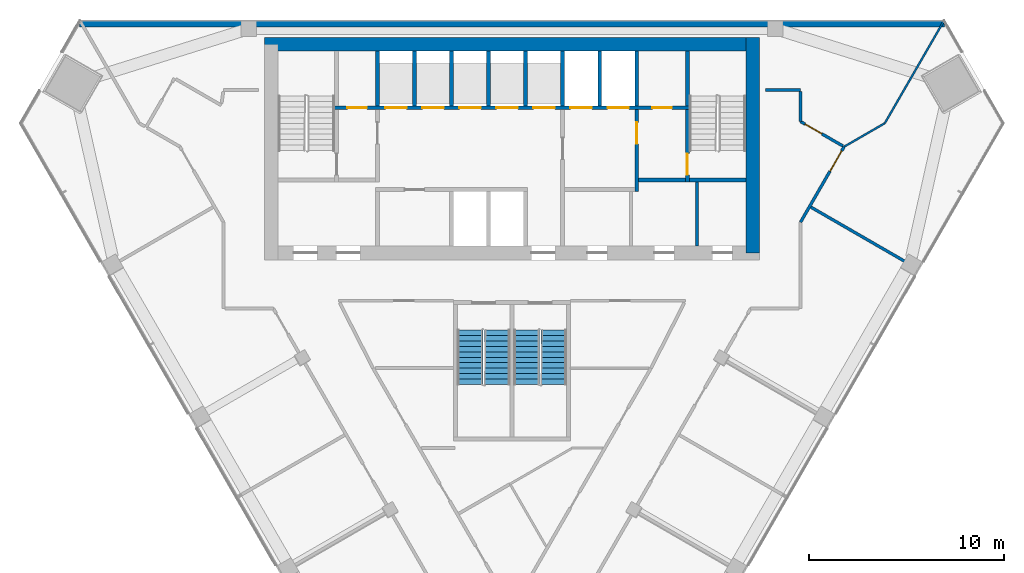
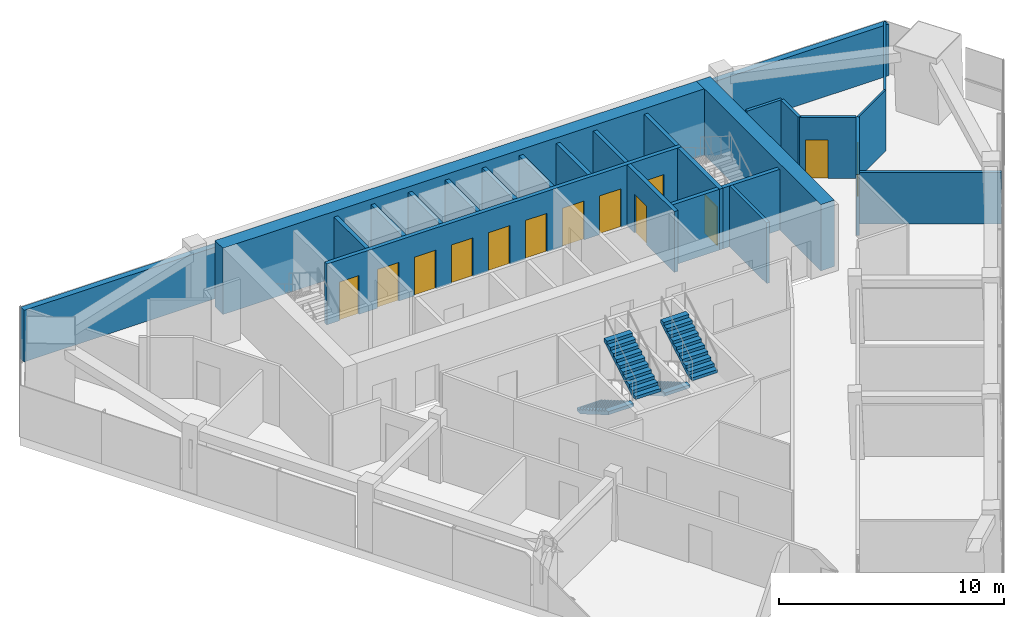
# One storey, part 10 of 13: 25 walls, 13 doors, 4 stair flights, 13 openings, 2 elements without a shape of their own.
"""IFC4 building model written with IfcOpenShell, lengths in metres."""

from ifc_helpers import new_model, si_unit, direction, frame, frame_2d, origin, place, context, subcontext, project, spatial, polyline, rectangle, outline, extrude, material, layer, layer_set, type_object, element, fill, aggregate, save


model = new_model("IFC4")

# Units and contexts
model_context = context("Model", 3, precision=1e-05, world=origin(), true_north=direction((0.0, 1.0)))
body_context = subcontext(model_context, "Body", "Model", "MODEL_VIEW")
ifc_project = project(units=[si_unit("LENGTHUNIT", "METRE"), si_unit("AREAUNIT", "SQUARE_METRE"), si_unit("VOLUMEUNIT", "CUBIC_METRE"), si_unit("PLANEANGLEUNIT", "RADIAN"), si_unit("MASSUNIT", "GRAM", prefix="KILO")], contexts=[model_context])

# Site, building, storey
site_placement = place(None, origin())
site = spatial("IfcSite", under=ifc_project, at=site_placement, CompositionType="ELEMENT")
building_placement = place(site_placement, origin())
building = spatial("IfcBuilding", under=site, at=building_placement, Name="Altiplano Prism Tower", CompositionType="ELEMENT")
storey_placement = place(building_placement, frame((0.0, 0.0, 208.800048828125)))
storey = spatial("IfcBuildingStorey", under=building, at=storey_placement, Name="L54", CompositionType="ELEMENT", Elevation=208.800048828125)

# Walls
ifc_material_1 = material(Name="Concrete C60/75", Category="concrete")
ifc_layer_1 = layer(ifc_material_1, 0.699951171875)
ifc_layer_set_1 = layer_set([ifc_layer_1], Name="Concrete C60/75")
wall_type_1 = type_object("IfcWallType", Name="Core wall 700", PredefinedType="SHEAR", material=ifc_layer_set_1)
wall_1_placement = place(storey_placement, frame((97.35009765625, 93.050048828125, 0.0), z_axis=(0.0, 0.0, 1.0), x_axis=(0.0, 1.0, 0.0)))
element("IfcWall", 1, at=wall_1_placement, inside=storey, type_object=wall_type_1, Name="Core wall E L54", PredefinedType="SHEAR", context=body_context, shape_type="SweptSolid", body=[
    extrude(rectangle(XDim=11.050048828125, YDim=0.699951171875, at=frame_2d((5.52490234375, 0.0))), origin(), (0.0, 0.0, 1.0), 3.599853515625),
])
wall_2_placement = place(storey_placement, frame((97.35009765625, 103.75, 0.0), z_axis=(0.0, 0.0, 1.0), x_axis=(-1.0, 0.0, 0.0)))
element("IfcWall", 2, at=wall_2_placement, inside=storey, type_object=wall_type_1, Name="Core wall N L54", PredefinedType="SHEAR", context=body_context, shape_type="SweptSolid", body=[
    extrude(rectangle(XDim=25.050048828125, YDim=0.699951171875, at=frame_2d((12.52490234375, 0.0))), origin(), (0.0, 0.0, 1.0), 3.599853515625),
])
ifc_material_2 = material(Name="Plasterboard on steel stud", Category="steel")
ifc_layer_2 = layer(ifc_material_2, 0.10009765625)
ifc_layer_set_2 = layer_set([ifc_layer_2], Name="Plasterboard on steel stud")
wall_type_2 = type_object("IfcWallType", Name="Partition 100 wet", PredefinedType="PARTITIONING", material=ifc_layer_set_2)
wall_3_placement = place(storey_placement, frame((107.123291015625, 104.89990234375, 0.0), z_axis=(0.0, 0.0, 1.0), x_axis=(-0.500013750211, -0.866017464951, 0.0)))
element("IfcWall", 3, at=wall_3_placement, inside=storey, type_object=wall_type_2, Name="Partition P03 L54 043", PredefinedType="PARTITIONING", context=body_context, shape_type="SweptSolid", body=[
    extrude(rectangle(XDim=5.997314453125, YDim=0.10009765625, at=frame_2d((2.99853515625, 0.0))), origin(), (0.0, 0.0, 1.0), 2.800048828125),
])
wall_4_placement = place(storey_placement, frame((104.12451171875, 99.7060546875, 0.0), z_axis=(0.0, 0.0, 1.0), x_axis=(-0.865991719008, -0.500058339205, 0.0)))
element("IfcWall", 4, at=wall_4_placement, inside=storey, type_object=wall_type_2, Name="Partition P03 L54 044", PredefinedType="PARTITIONING", context=body_context, shape_type="SweptSolid", body=[
    extrude(rectangle(XDim=2.411865234375, YDim=0.10009765625, at=frame_2d((1.2060546875, 0.0))), origin(), (0.0, 0.0, 1.0), 3.300048828125),
])

# Wall, opening, door
ifc_layer_3 = layer(ifc_material_2, 0.14990234375)
ifc_layer_set_3 = layer_set([ifc_layer_3], Name="Plasterboard on steel stud")
wall_type_3 = type_object("IfcWallType", Name="Partition 150 corridor", PredefinedType="PARTITIONING", material=ifc_layer_set_3)
wall_5_placement = place(storey_placement, frame((99.800048828125, 94.62744140625, 0.0), z_axis=(0.0, 0.0, 1.0), x_axis=(0.500002867593, 0.866023748172, 0.0)))
wall_5 = element("IfcWall", 5, at=wall_5_placement, inside=storey, type_object=wall_type_3, Name="Partition P06 L54 011", PredefinedType="PARTITIONING", context=body_context, shape_type="SweptSolid", body=[
    extrude(rectangle(XDim=4.4716796875, YDim=0.14990234375, at=frame_2d((2.23583984375, 0.0))), origin(), (0.0, 0.0, 1.0), 3.300048828125),
])
opening_1_placement = place(wall_5_placement, frame((3.01806640625, 0.0, 0.0)))
opening_1 = element("IfcOpeningElement", 6, at=opening_1_placement, cuts=wall_5, Name="Opening D1863", PredefinedType="OPENING", context=body_context, shape_type="SweptSolid", body=[
    extrude(rectangle(XDim=1.199951171875, YDim=2.10009765625, at=frame_2d((0.60009765625, 1.050048828125))), frame((0.0, 0.08544921875, 0.0), z_axis=(0.0, -1.0, 0.0), x_axis=(1.0, 0.0, 0.0)), (0.0, 0.0, 1.0), 0.1708984375),
])
ifc_material_3 = material(Name="Timber", Category="wood")
door_type_1 = type_object("IfcDoorType", Name="Shared room door 1200 x 2100", OperationType="NOTDEFINED", PredefinedType="NOTDEFINED", material=ifc_material_3)
door_1_placement = place(opening_1_placement, origin())
door_1 = element("IfcDoor", 7, at=door_1_placement, inside=storey, type_object=door_type_1, Name="Door D1863", OperationType="SINGLE_SWING_RIGHT", OverallHeight=2.10009765625, OverallWidth=1.199951171875, PredefinedType="NOTDEFINED", context=body_context, shape_type="SweptSolid", body=[
    extrude(rectangle(XDim=1.199951171875, YDim=2.10009765625, at=frame_2d((0.60009765625, 1.050048828125))), frame((0.0, 0.02490234375, 0.0), z_axis=(0.0, -1.0, 0.0), x_axis=(1.0, 0.0, 0.0)), (0.0, 0.0, 1.0), 0.050048828125),
])
fill(opening_1, door_1)

wall_6_placement = place(storey_placement, frame((101.970947265625, 98.53759765625, 0.0), z_axis=(0.0, 0.0, 1.0), x_axis=(-0.866059082011, 0.499941663064, 0.0)))
wall_6 = element("IfcWall", 8, at=wall_6_placement, inside=storey, type_object=wall_type_3, Name="Partition P06 L54 012", PredefinedType="PARTITIONING", context=body_context, shape_type="SweptSolid", body=[
    extrude(rectangle(XDim=2.506591796875, YDim=0.14990234375, at=frame_2d((1.25341796875, 0.0))), origin(), (0.0, 0.0, 1.0), 3.300048828125),
])
opening_2_placement = place(wall_6_placement, frame((1.2451171875, 0.0, 0.0)))
opening_2 = element("IfcOpeningElement", 9, at=opening_2_placement, cuts=wall_6, Name="Opening D1864", PredefinedType="OPENING", context=body_context, shape_type="SweptSolid", body=[
    extrude(rectangle(XDim=1.0, YDim=2.10009765625, at=frame_2d((0.5, 1.050048828125))), frame((0.0, 0.08544921875, 0.0), z_axis=(0.0, -1.0, 0.0), x_axis=(1.0, 0.0, 0.0)), (0.0, 0.0, 1.0), 0.1708984375),
])
door_type_2 = type_object("IfcDoorType", Name="Room door 1000 x 2100", OperationType="NOTDEFINED", PredefinedType="NOTDEFINED", material=ifc_material_3)
door_2_placement = place(opening_2_placement, origin())
door_2 = element("IfcDoor", 10, at=door_2_placement, inside=storey, type_object=door_type_2, Name="Door D1864", OperationType="SINGLE_SWING_LEFT", OverallHeight=2.10009765625, OverallWidth=1.0, PredefinedType="NOTDEFINED", context=body_context, shape_type="SweptSolid", body=[
    extrude(rectangle(XDim=1.0, YDim=2.10009765625, at=frame_2d((0.5, 1.050048828125))), frame((0.0, 0.02490234375, 0.0), z_axis=(0.0, -1.0, 0.0), x_axis=(1.0, 0.0, 0.0)), (0.0, 0.0, 1.0), 0.050048828125),
])
fill(opening_2, door_2)

# Walls
wall_7_placement = place(storey_placement, frame((99.800048828125, 99.790771484375, 0.0), z_axis=(0.0, 0.0, 1.0), x_axis=(0.0, 1.0, 0.0)))
element("IfcWall", 11, at=wall_7_placement, inside=storey, type_object=wall_type_3, Name="Partition P06 L54 013", PredefinedType="PARTITIONING", context=body_context, shape_type="SweptSolid", body=[
    extrude(rectangle(XDim=1.5341796875, YDim=0.14990234375, at=frame_2d((0.76708984375, 0.0))), origin(), (0.0, 0.0, 1.0), 3.300048828125),
])
wall_8_placement = place(storey_placement, frame((99.800048828125, 101.39990234375, 0.0), z_axis=(0.0, 0.0, 1.0), x_axis=(-1.0, 0.0, 0.0)))
element("IfcWall", 12, at=wall_8_placement, inside=storey, type_object=wall_type_3, Name="Partition P06 L54 014", PredefinedType="PARTITIONING", context=body_context, shape_type="SweptSolid", body=[
    extrude(rectangle(XDim=1.800048828125, YDim=0.14990234375, at=frame_2d((0.89990234375, 0.0))), origin(), (0.0, 0.0, 1.0), 3.300048828125),
])
ifc_layer_4 = layer(ifc_material_2, 0.14990234375)
ifc_layer_set_4 = layer_set([ifc_layer_4], Name="Plasterboard on steel stud")
wall_type_4 = type_object("IfcWallType", Name="Partition 150 party", PredefinedType="PARTITIONING", material=ifc_layer_set_4)
wall_9_placement = place(storey_placement, frame((105.810546875, 92.238037109375, 0.0), z_axis=(0.0, 0.0, 1.0), x_axis=(-0.866042250622, 0.499970819286, 0.0)))
element("IfcWall", 13, at=wall_9_placement, inside=storey, type_object=wall_type_4, Name="Partition P01 L54 042", PredefinedType="PARTITIONING", context=body_context, shape_type="SweptSolid", body=[
    extrude(rectangle(XDim=6.3251953125, YDim=0.14990234375, at=frame_2d((3.16259765625, 0.0))), origin(), (0.0, 0.0, 1.0), 2.800048828125),
])
ifc_material_4 = material(Name="Fire-rated gypsum board partition")
ifc_layer_5 = layer(ifc_material_4, 0.14990234375)
ifc_layer_set_5 = layer_set([ifc_layer_5], Name="Fire-rated gypsum board partition")
wall_type_5 = type_object("IfcWallType", Name="Room partition 150", PredefinedType="PARTITIONING", material=ifc_layer_set_5)
wall_10_placement = place(storey_placement, frame((94.5, 93.39990234375, 0.0), z_axis=(0.0, 0.0, 1.0), x_axis=(0.0, 1.0, 0.0)))
element("IfcWall", 14, at=wall_10_placement, inside=storey, type_object=wall_type_5, Name="Room partition L54", PredefinedType="PARTITIONING", context=body_context, shape_type="SweptSolid", body=[
    extrude(rectangle(XDim=3.300048828125, YDim=0.14990234375, at=frame_2d((1.64990234375, 0.0))), origin(), (0.0, 0.0, 1.0), 3.300048828125),
])
ifc_layer_6 = layer(ifc_material_1, 0.199951171875)
ifc_layer_set_6 = layer_set([ifc_layer_6], Name="Concrete C60/75")
wall_type_6 = type_object("IfcWallType", Name="Shaft wall 200", PredefinedType="SOLIDWALL", material=ifc_layer_set_6)
for number, where, z_axis, x_axis, name in (
    (15, (78.10009765625, 100.60009765625, 0.0), (0.0, 0.0, 1.0), (0.0, 1.0, 0.0), "Shaft wall L54"),
    (16, (80.0, 100.60009765625, 0.0), (0.0, 0.0, 1.0), (0.0, 1.0, 0.0), "Shaft wall L54"),
    (17, (81.89990234375, 100.60009765625, 0.0), (0.0, 0.0, 1.0), (0.0, 1.0, 0.0), "Shaft wall L54"),
    (18, (83.800048828125, 100.60009765625, 0.0), (0.0, 0.0, 1.0), (0.0, 1.0, 0.0), "Shaft wall L54"),
    (19, (85.699951171875, 100.60009765625, 0.0), (0.0, 0.0, 1.0), (0.0, 1.0, 0.0), "Shaft wall L54"),
    (20, (87.60009765625, 100.60009765625, 0.0), (0.0, 0.0, 1.0), (0.0, 1.0, 0.0), "Shaft wall L54"),
    (21, (89.5, 100.60009765625, 0.0), (0.0, 0.0, 1.0), (0.0, 1.0, 0.0), "Shaft wall L54"),
    (22, (91.39990234375, 100.60009765625, 0.0), (0.0, 0.0, 1.0), (0.0, 1.0, 0.0), "Shaft wall L54"),
):
    element("IfcWall", number, at=place(storey_placement, frame(where, z_axis=z_axis, x_axis=x_axis)), inside=storey, type_object=wall_type_6, Name=name, PredefinedType="SOLIDWALL", context=body_context, shape_type="SweptSolid", body=[
        extrude(rectangle(XDim=2.7998046875, YDim=0.199951171875, at=frame_2d((1.39990234375, 0.0))), origin(), (0.0, 0.0, 1.0), 3.300048828125),
    ])

# Wall, opening, door
ifc_layer_7 = layer(ifc_material_1, 0.199951171875)
ifc_layer_set_7 = layer_set([ifc_layer_7], Name="Concrete C60/75")
wall_type_7 = type_object("IfcWallType", Name="Stair wall 200", PredefinedType="SOLIDWALL", material=ifc_layer_set_7)
wall_11_placement = place(storey_placement, frame((94.0, 96.699951171875, 0.0), z_axis=(0.0, 0.0, 1.0), x_axis=(0.0, 1.0, 0.0)))
wall_11 = element("IfcWall", 23, at=wall_11_placement, inside=storey, type_object=wall_type_7, Name="Stair wall L54", PredefinedType="SOLIDWALL", context=body_context, shape_type="SweptSolid", body=[
    extrude(rectangle(XDim=3.699951171875, YDim=0.199951171875, at=frame_2d((1.85009765625, 0.0))), origin(), (0.0, 0.0, 1.0), 3.300048828125),
])
opening_3_placement = place(wall_11_placement, frame((0.35009765625, 0.0, 0.0)))
opening_3 = element("IfcOpeningElement", 24, at=opening_3_placement, cuts=wall_11, Name="Opening D3328", PredefinedType="OPENING", context=body_context, shape_type="SweptSolid", body=[
    extrude(rectangle(XDim=1.10009765625, YDim=2.10009765625, at=frame_2d((0.550048828125, 1.050048828125))), frame((0.0, 0.1103515625, 0.0), z_axis=(0.0, -1.0, 0.0), x_axis=(1.0, 0.0, 0.0)), (0.0, 0.0, 1.0), 0.220947265625),
])
ifc_material_5 = material(Name="Fire-rated steel door", Category="steel")
door_type_3 = type_object("IfcDoorType", Name="Stair fire door 1100 x 2100", OperationType="NOTDEFINED", PredefinedType="NOTDEFINED", material=ifc_material_5)
door_3_placement = place(opening_3_placement, origin())
door_3 = element("IfcDoor", 25, at=door_3_placement, inside=storey, type_object=door_type_3, Name="Stair fire door D3328", OperationType="SINGLE_SWING_LEFT", OverallHeight=2.10009765625, OverallWidth=1.10009765625, PredefinedType="NOTDEFINED", context=body_context, shape_type="SweptSolid", body=[
    extrude(rectangle(XDim=1.10009765625, YDim=2.10009765625, at=frame_2d((0.550048828125, 1.050048828125))), frame((0.0, 0.02490234375, 0.0), z_axis=(0.0, -1.0, 0.0), x_axis=(1.0, 0.0, 0.0)), (0.0, 0.0, 1.0), 0.050048828125),
])
fill(opening_3, door_3)

# Wall
wall_12_placement = place(storey_placement, frame((94.10009765625, 96.800048828125, 0.0), z_axis=(0.0, 0.0, 1.0), x_axis=(1.0, 0.0, 0.0)))
element("IfcWall", 26, at=wall_12_placement, inside=storey, type_object=wall_type_7, Name="Stair wall L54", PredefinedType="SOLIDWALL", context=body_context, shape_type="SweptSolid", body=[
    extrude(rectangle(XDim=2.89990234375, YDim=0.199951171875, at=frame_2d((1.449951171875, 0.0))), origin(), (0.0, 0.0, 1.0), 3.300048828125),
])

# Wall, openings, doors
wall_13_placement = place(storey_placement, frame((75.89990234375, 100.5, 0.0), z_axis=(0.0, 0.0, 1.0), x_axis=(1.0, 0.0, 0.0)))
wall_13 = element("IfcWall", 27, at=wall_13_placement, inside=storey, type_object=wall_type_7, Name="Stair wall L54", PredefinedType="SOLIDWALL", context=body_context, shape_type="SweptSolid", body=[
    extrude(rectangle(XDim=18.2001953125, YDim=0.199951171875, at=frame_2d((9.10009765625, 0.0))), origin(), (0.0, 0.0, 1.0), 3.300048828125),
])
opening_4_placement = place(wall_13_placement, frame((2.60009765625, 0.0, 0.0)))
opening_4 = element("IfcOpeningElement", 28, at=opening_4_placement, cuts=wall_13, Name="Opening LD-ML1-L54", PredefinedType="OPENING", context=body_context, shape_type="SweptSolid", body=[
    extrude(rectangle(XDim=1.10009765625, YDim=2.10009765625, at=frame_2d((0.550048828125, 1.050048828125))), frame((0.0, 0.1103515625, 0.0), z_axis=(0.0, -1.0, 0.0), x_axis=(1.0, 0.0, 0.0)), (0.0, 0.0, 1.0), 0.220947265625),
])
opening_5_placement = place(wall_13_placement, frame((4.5, 0.0, 0.0)))
opening_5 = element("IfcOpeningElement", 29, at=opening_5_placement, cuts=wall_13, Name="Opening LD-ML2-L54", PredefinedType="OPENING", context=body_context, shape_type="SweptSolid", body=[
    extrude(rectangle(XDim=1.10009765625, YDim=2.10009765625, at=frame_2d((0.550048828125, 1.050048828125))), frame((0.0, 0.1103515625, 0.0), z_axis=(0.0, -1.0, 0.0), x_axis=(1.0, 0.0, 0.0)), (0.0, 0.0, 1.0), 0.220947265625),
])
opening_6_placement = place(wall_13_placement, frame((6.39990234375, 0.0, 0.0)))
opening_6 = element("IfcOpeningElement", 30, at=opening_6_placement, cuts=wall_13, Name="Opening LD-ML3-L54", PredefinedType="OPENING", context=body_context, shape_type="SweptSolid", body=[
    extrude(rectangle(XDim=1.10009765625, YDim=2.10009765625, at=frame_2d((0.550048828125, 1.050048828125))), frame((0.0, 0.1103515625, 0.0), z_axis=(0.0, -1.0, 0.0), x_axis=(1.0, 0.0, 0.0)), (0.0, 0.0, 1.0), 0.220947265625),
])
opening_7_placement = place(wall_13_placement, frame((8.300048828125, 0.0, 0.0)))
opening_7 = element("IfcOpeningElement", 31, at=opening_7_placement, cuts=wall_13, Name="Opening LD-ML4-L54", PredefinedType="OPENING", context=body_context, shape_type="SweptSolid", body=[
    extrude(rectangle(XDim=1.10009765625, YDim=2.10009765625, at=frame_2d((0.550048828125, 1.050048828125))), frame((0.0, 0.1103515625, 0.0), z_axis=(0.0, -1.0, 0.0), x_axis=(1.0, 0.0, 0.0)), (0.0, 0.0, 1.0), 0.220947265625),
])
opening_8_placement = place(wall_13_placement, frame((10.199951171875, 0.0, 0.0)))
opening_8 = element("IfcOpeningElement", 32, at=opening_8_placement, cuts=wall_13, Name="Opening LD-ML5-L54", PredefinedType="OPENING", context=body_context, shape_type="SweptSolid", body=[
    extrude(rectangle(XDim=1.10009765625, YDim=2.10009765625, at=frame_2d((0.550048828125, 1.050048828125))), frame((0.0, 0.1103515625, 0.0), z_axis=(0.0, -1.0, 0.0), x_axis=(1.0, 0.0, 0.0)), (0.0, 0.0, 1.0), 0.220947265625),
])
opening_9_placement = place(wall_13_placement, frame((12.10009765625, 0.0, 0.0)))
opening_9 = element("IfcOpeningElement", 33, at=opening_9_placement, cuts=wall_13, Name="Opening LD-FF1-L54", PredefinedType="OPENING", context=body_context, shape_type="SweptSolid", body=[
    extrude(rectangle(XDim=1.10009765625, YDim=2.10009765625, at=frame_2d((0.550048828125, 1.050048828125))), frame((0.0, 0.1103515625, 0.0), z_axis=(0.0, -1.0, 0.0), x_axis=(1.0, 0.0, 0.0)), (0.0, 0.0, 1.0), 0.220947265625),
])
opening_10_placement = place(wall_13_placement, frame((14.0, 0.0, 0.0)))
opening_10 = element("IfcOpeningElement", 34, at=opening_10_placement, cuts=wall_13, Name="Opening LD-FF2-L54", PredefinedType="OPENING", context=body_context, shape_type="SweptSolid", body=[
    extrude(rectangle(XDim=1.10009765625, YDim=2.10009765625, at=frame_2d((0.550048828125, 1.050048828125))), frame((0.0, 0.1103515625, 0.0), z_axis=(0.0, -1.0, 0.0), x_axis=(1.0, 0.0, 0.0)), (0.0, 0.0, 1.0), 0.220947265625),
])
opening_11_placement = place(wall_13_placement, frame((0.64990234375, 0.0, 0.0)))
opening_11 = element("IfcOpeningElement", 35, at=opening_11_placement, cuts=wall_13, Name="Opening D3335", PredefinedType="OPENING", context=body_context, shape_type="SweptSolid", body=[
    extrude(rectangle(XDim=1.0, YDim=2.10009765625, at=frame_2d((0.5, 1.050048828125))), frame((0.0, 0.1103515625, 0.0), z_axis=(0.0, -1.0, 0.0), x_axis=(1.0, 0.0, 0.0)), (0.0, 0.0, 1.0), 0.220947265625),
])
opening_12_placement = place(wall_13_placement, frame((16.300048828125, 0.0, 0.0)))
opening_12 = element("IfcOpeningElement", 36, at=opening_12_placement, cuts=wall_13, Name="Opening D3336", PredefinedType="OPENING", context=body_context, shape_type="SweptSolid", body=[
    extrude(rectangle(XDim=1.0, YDim=2.10009765625, at=frame_2d((0.5, 1.050048828125))), frame((0.0, 0.1103515625, 0.0), z_axis=(0.0, -1.0, 0.0), x_axis=(1.0, 0.0, 0.0)), (0.0, 0.0, 1.0), 0.220947265625),
])
door_type_4 = type_object("IfcDoorType", Name="Core room door 1000 x 2100", OperationType="NOTDEFINED", PredefinedType="NOTDEFINED", material=ifc_material_5)
door_4_placement = place(opening_11_placement, origin())
door_4 = element("IfcDoor", 37, at=door_4_placement, inside=storey, type_object=door_type_4, Name="Core room door D3335", OperationType="SINGLE_SWING_LEFT", OverallHeight=2.10009765625, OverallWidth=1.0, PredefinedType="NOTDEFINED", context=body_context, shape_type="SweptSolid", body=[
    extrude(rectangle(XDim=1.0, YDim=2.10009765625, at=frame_2d((0.5, 1.050048828125))), frame((0.0, 0.02490234375, 0.0), z_axis=(0.0, -1.0, 0.0), x_axis=(1.0, 0.0, 0.0)), (0.0, 0.0, 1.0), 0.050048828125),
])
fill(opening_11, door_4)
door_5_placement = place(opening_12_placement, origin())
door_5 = element("IfcDoor", 38, at=door_5_placement, inside=storey, type_object=door_type_4, Name="Core room door D3336", OperationType="SINGLE_SWING_RIGHT", OverallHeight=2.10009765625, OverallWidth=1.0, PredefinedType="NOTDEFINED", context=body_context, shape_type="SweptSolid", body=[
    extrude(rectangle(XDim=1.0, YDim=2.10009765625, at=frame_2d((0.5, 1.050048828125))), frame((0.0, 0.02490234375, 0.0), z_axis=(0.0, -1.0, 0.0), x_axis=(1.0, 0.0, 0.0)), (0.0, 0.0, 1.0), 0.050048828125),
])
fill(opening_12, door_5)
ifc_material_6 = material(Name="Stainless steel landing door", Category="steel")
door_type_5 = type_object("IfcDoorType", Name="Landing door 1100 x 2100", OperationType="NOTDEFINED", PredefinedType="NOTDEFINED", material=ifc_material_6)
door_6_placement = place(opening_4_placement, origin())
door_6 = element("IfcDoor", 39, at=door_6_placement, inside=storey, type_object=door_type_5, Name="Landing doors ML1", OperationType="SLIDING_TO_RIGHT", OverallHeight=2.10009765625, OverallWidth=1.10009765625, PredefinedType="NOTDEFINED", context=body_context, shape_type="SweptSolid", body=[
    extrude(rectangle(XDim=1.10009765625, YDim=2.10009765625, at=frame_2d((0.550048828125, 1.050048828125))), frame((0.0, 0.02490234375, 0.0), z_axis=(0.0, -1.0, 0.0), x_axis=(1.0, 0.0, 0.0)), (0.0, 0.0, 1.0), 0.050048828125),
])
fill(opening_4, door_6)
door_7_placement = place(opening_5_placement, origin())
door_7 = element("IfcDoor", 40, at=door_7_placement, inside=storey, type_object=door_type_5, Name="Landing doors ML2", OperationType="SLIDING_TO_LEFT", OverallHeight=2.10009765625, OverallWidth=1.10009765625, PredefinedType="NOTDEFINED", context=body_context, shape_type="SweptSolid", body=[
    extrude(rectangle(XDim=1.10009765625, YDim=2.10009765625, at=frame_2d((0.550048828125, 1.050048828125))), frame((0.0, 0.02490234375, 0.0), z_axis=(0.0, -1.0, 0.0), x_axis=(1.0, 0.0, 0.0)), (0.0, 0.0, 1.0), 0.050048828125),
])
fill(opening_5, door_7)
door_8_placement = place(opening_6_placement, origin())
door_8 = element("IfcDoor", 41, at=door_8_placement, inside=storey, type_object=door_type_5, Name="Landing doors ML3", OperationType="SLIDING_TO_RIGHT", OverallHeight=2.10009765625, OverallWidth=1.10009765625, PredefinedType="NOTDEFINED", context=body_context, shape_type="SweptSolid", body=[
    extrude(rectangle(XDim=1.10009765625, YDim=2.10009765625, at=frame_2d((0.550048828125, 1.050048828125))), frame((0.0, 0.02490234375, 0.0), z_axis=(0.0, -1.0, 0.0), x_axis=(1.0, 0.0, 0.0)), (0.0, 0.0, 1.0), 0.050048828125),
])
fill(opening_6, door_8)
door_9_placement = place(opening_7_placement, origin())
door_9 = element("IfcDoor", 42, at=door_9_placement, inside=storey, type_object=door_type_5, Name="Landing doors ML4", OperationType="SLIDING_TO_LEFT", OverallHeight=2.10009765625, OverallWidth=1.10009765625, PredefinedType="NOTDEFINED", context=body_context, shape_type="SweptSolid", body=[
    extrude(rectangle(XDim=1.10009765625, YDim=2.10009765625, at=frame_2d((0.550048828125, 1.050048828125))), frame((0.0, 0.02490234375, 0.0), z_axis=(0.0, -1.0, 0.0), x_axis=(1.0, 0.0, 0.0)), (0.0, 0.0, 1.0), 0.050048828125),
])
fill(opening_7, door_9)
door_10_placement = place(opening_8_placement, origin())
door_10 = element("IfcDoor", 43, at=door_10_placement, inside=storey, type_object=door_type_5, Name="Landing doors ML5", OperationType="SLIDING_TO_RIGHT", OverallHeight=2.10009765625, OverallWidth=1.10009765625, PredefinedType="NOTDEFINED", context=body_context, shape_type="SweptSolid", body=[
    extrude(rectangle(XDim=1.10009765625, YDim=2.10009765625, at=frame_2d((0.550048828125, 1.050048828125))), frame((0.0, 0.02490234375, 0.0), z_axis=(0.0, -1.0, 0.0), x_axis=(1.0, 0.0, 0.0)), (0.0, 0.0, 1.0), 0.050048828125),
])
fill(opening_8, door_10)
door_11_placement = place(opening_9_placement, origin())
door_11 = element("IfcDoor", 44, at=door_11_placement, inside=storey, type_object=door_type_5, Name="Landing doors FF1", OperationType="SLIDING_TO_RIGHT", OverallHeight=2.10009765625, OverallWidth=1.10009765625, PredefinedType="NOTDEFINED", context=body_context, shape_type="SweptSolid", body=[
    extrude(rectangle(XDim=1.10009765625, YDim=2.10009765625, at=frame_2d((0.550048828125, 1.050048828125))), frame((0.0, 0.02490234375, 0.0), z_axis=(0.0, -1.0, 0.0), x_axis=(1.0, 0.0, 0.0)), (0.0, 0.0, 1.0), 0.050048828125),
])
fill(opening_9, door_11)
door_12_placement = place(opening_10_placement, origin())
door_12 = element("IfcDoor", 45, at=door_12_placement, inside=storey, type_object=door_type_5, Name="Landing doors FF2", OperationType="SLIDING_TO_LEFT", OverallHeight=2.10009765625, OverallWidth=1.10009765625, PredefinedType="NOTDEFINED", context=body_context, shape_type="SweptSolid", body=[
    extrude(rectangle(XDim=1.10009765625, YDim=2.10009765625, at=frame_2d((0.550048828125, 1.050048828125))), frame((0.0, 0.02490234375, 0.0), z_axis=(0.0, -1.0, 0.0), x_axis=(1.0, 0.0, 0.0)), (0.0, 0.0, 1.0), 0.050048828125),
])
fill(opening_10, door_12)

# Walls
wall_14_placement = place(storey_placement, frame((94.0, 100.60009765625, 0.0), z_axis=(0.0, 0.0, 1.0), x_axis=(0.0, 1.0, 0.0)))
element("IfcWall", 46, at=wall_14_placement, inside=storey, type_object=wall_type_7, Name="Stair wall L54", PredefinedType="SOLIDWALL", context=body_context, shape_type="SweptSolid", body=[
    extrude(rectangle(XDim=2.7998046875, YDim=0.199951171875, at=frame_2d((1.39990234375, 0.0))), origin(), (0.0, 0.0, 1.0), 3.300048828125),
])
ifc_material_7 = material(Name="Concrete C40", Category="concrete")
ifc_layer_8 = layer(ifc_material_7, 0.300048828125)
ifc_layer_set_8 = layer_set([ifc_layer_8], Name="Concrete C40")
wall_type_8 = type_object("IfcWallType", Name="Stone-clad external wall 300", PredefinedType="SOLIDWALL", material=ifc_layer_set_8)
wall_15_placement = place(storey_placement, frame((62.81884765625, 104.7900390625, 0.0), z_axis=(0.0, 0.0, 1.0), x_axis=(1.0, 0.0, 0.0)))
element("IfcWall", 47, at=wall_15_placement, inside=storey, type_object=wall_type_8, Name="External wall north face L54", PredefinedType="SOLIDWALL", context=body_context, shape_type="SweptSolid", body=[
    extrude(rectangle(XDim=44.3623046875, YDim=0.300048828125, at=frame_2d((22.18115234375, 0.0))), origin(), (0.0, 0.0, 1.0), 2.800048828125),
])

# Wall, opening, door
ifc_layer_9 = layer(ifc_material_1, 0.199951171875)
ifc_layer_set_9 = layer_set([ifc_layer_9], Name="Concrete C60/75")
wall_type_9 = type_object("IfcWallType", Name="Vestibule wall 200", PredefinedType="PARTITIONING", material=ifc_layer_set_9)
wall_16_placement = place(storey_placement, frame((91.39990234375, 96.199951171875, 0.0), z_axis=(0.0, 0.0, 1.0), x_axis=(0.0, 1.0, 0.0)))
wall_16 = element("IfcWall", 48, at=wall_16_placement, inside=storey, type_object=wall_type_9, Name="Vestibule wall L54", PredefinedType="PARTITIONING", context=body_context, shape_type="SweptSolid", body=[
    extrude(rectangle(XDim=4.199951171875, YDim=0.199951171875, at=frame_2d((2.10009765625, 0.0))), origin(), (0.0, 0.0, 1.0), 3.300048828125),
])
opening_13_placement = place(wall_16_placement, frame((2.449951171875, 0.0, 0.0)))
opening_13 = element("IfcOpeningElement", 49, at=opening_13_placement, cuts=wall_16, Name="Opening D3331", PredefinedType="OPENING", context=body_context, shape_type="SweptSolid", body=[
    extrude(rectangle(XDim=1.10009765625, YDim=2.10009765625, at=frame_2d((0.550048828125, 1.050048828125))), frame((0.0, 0.1103515625, 0.0), z_axis=(0.0, -1.0, 0.0), x_axis=(1.0, 0.0, 0.0)), (0.0, 0.0, 1.0), 0.220947265625),
])
door_type_6 = type_object("IfcDoorType", Name="Vestibule fire door 1100 x 2100", OperationType="NOTDEFINED", PredefinedType="NOTDEFINED", material=ifc_material_5)
door_13_placement = place(opening_13_placement, origin())
door_13 = element("IfcDoor", 50, at=door_13_placement, inside=storey, type_object=door_type_6, Name="Vestibule fire door D3331", OperationType="SINGLE_SWING_LEFT", OverallHeight=2.10009765625, OverallWidth=1.10009765625, PredefinedType="NOTDEFINED", context=body_context, shape_type="SweptSolid", body=[
    extrude(rectangle(XDim=1.10009765625, YDim=2.10009765625, at=frame_2d((0.550048828125, 1.050048828125))), frame((0.0, 0.02490234375, 0.0), z_axis=(0.0, -1.0, 0.0), x_axis=(1.0, 0.0, 0.0)), (0.0, 0.0, 1.0), 0.050048828125),
])
fill(opening_13, door_13)

# Wall
wall_17_placement = place(storey_placement, frame((91.5, 96.800048828125, 0.0), z_axis=(0.0, 0.0, 1.0), x_axis=(1.0, 0.0, 0.0)))
element("IfcWall", 51, at=wall_17_placement, inside=storey, type_object=wall_type_9, Name="Vestibule wall L54", PredefinedType="PARTITIONING", context=body_context, shape_type="SweptSolid", body=[
    extrude(rectangle(XDim=2.39990234375, YDim=0.199951171875, at=frame_2d((1.199951171875, 0.0))), origin(), (0.0, 0.0, 1.0), 3.300048828125),
])

# Stair, stair flights
ifc_material_8 = material(Name="Concrete C40/50", Category="concrete")
stair_type = type_object("IfcStairType", Name="Exit stair 1300", PredefinedType="HALF_TURN_STAIR", material=ifc_material_8)
stair_1_placement = place(storey_placement, origin())
stair_1 = element("IfcStair", 52, at=stair_1_placement, inside=storey, type_object=stair_type, Name="L54 Exit Stair 3A", PredefinedType="HALF_TURN_STAIR")
stair_flight_type = type_object("IfcStairFlightType", Name="Stair flight concrete 150", PredefinedType="STRAIGHT", material=ifc_material_8)
stair_flight_1_placement = place(storey_placement, frame((82.85009765625, 89.10009765625, 0.0), z_axis=(0.0, 0.0, 1.0), x_axis=(0.0, -1.0, 0.0)))
stair_flight_1 = element("IfcStairFlight", 53, at=stair_flight_1_placement, type_object=stair_flight_type, Name="ST3A flight 1", NumberOfRisers=11, NumberOfTreads=10, PredefinedType="STRAIGHT", RiserHeight=0.163636364, TreadLength=0.28, context=body_context, shape_type="SweptSolid", body=[
    extrude(outline(polyline([(0.0, 0.0), (0.0, 0.16357421875), (0.280029296875, 0.16357421875), (0.280029296875, 0.327392578125), (0.56005859375, 0.327392578125), (0.56005859375, 0.490966796875), (0.840087890625, 0.490966796875), (0.840087890625, 0.654541015625), (1.1201171875, 0.654541015625), (1.1201171875, 0.818115234375), (1.39990234375, 0.818115234375), (1.39990234375, 0.98193359375), (1.679931640625, 0.98193359375), (1.679931640625, 1.1455078125), (1.9599609375, 1.1455078125), (1.9599609375, 1.30908203125), (2.239990234375, 1.30908203125), (2.239990234375, 1.47265625), (2.52001953125, 1.47265625), (2.52001953125, 1.636474609375), (2.800048828125, 1.636474609375), (2.800048828125, 1.800048828125), (2.800048828125, 1.462646484375), (0.297119140625, 0.0), (0.0, 0.0)])), frame((0.0, 0.64990234375, 0.0), z_axis=(0.0, -1.0, 0.0), x_axis=(1.0, 0.0, 0.0)), (0.0, 0.0, 1.0), 1.300048828125),
])
stair_flight_2_placement = place(storey_placement, frame((84.25, 86.300048828125, 1.800048828125), z_axis=(0.0, 0.0, 1.0), x_axis=(0.0, 1.0, 0.0)))
stair_flight_2 = element("IfcStairFlight", 54, at=stair_flight_2_placement, type_object=stair_flight_type, Name="ST3A flight 2", NumberOfRisers=11, NumberOfTreads=10, PredefinedType="STRAIGHT", RiserHeight=0.163636364, TreadLength=0.28, context=body_context, shape_type="SweptSolid", body=[
    extrude(outline(polyline([(0.0, 0.0), (0.0, 0.16357421875), (0.280029296875, 0.16357421875), (0.280029296875, 0.327392578125), (0.56005859375, 0.327392578125), (0.56005859375, 0.490966796875), (0.840087890625, 0.490966796875), (0.840087890625, 0.654541015625), (1.1201171875, 0.654541015625), (1.1201171875, 0.818115234375), (1.39990234375, 0.818115234375), (1.39990234375, 0.98193359375), (1.679931640625, 0.98193359375), (1.679931640625, 1.1455078125), (1.9599609375, 1.1455078125), (1.9599609375, 1.30908203125), (2.239990234375, 1.30908203125), (2.239990234375, 1.47265625), (2.52001953125, 1.47265625), (2.52001953125, 1.636474609375), (2.800048828125, 1.636474609375), (2.800048828125, 1.800048828125), (2.800048828125, 1.462646484375), (0.297119140625, 0.0), (0.0, 0.0)])), frame((0.0, 0.64990234375, 0.0), z_axis=(0.0, -1.0, 0.0), x_axis=(1.0, 0.0, 0.0)), (0.0, 0.0, 1.0), 1.300048828125),
])
aggregate(stair_1, [stair_flight_1, stair_flight_2])

stair_2_placement = place(storey_placement, origin())
stair_2 = element("IfcStair", 55, at=stair_2_placement, inside=storey, type_object=stair_type, Name="L54 Exit Stair 3B", PredefinedType="HALF_TURN_STAIR")
stair_flight_3_placement = place(storey_placement, frame((85.75, 89.10009765625, 0.0), z_axis=(0.0, 0.0, 1.0), x_axis=(0.0, -1.0, 0.0)))
stair_flight_3 = element("IfcStairFlight", 56, at=stair_flight_3_placement, type_object=stair_flight_type, Name="ST3B flight 1", NumberOfRisers=11, NumberOfTreads=10, PredefinedType="STRAIGHT", RiserHeight=0.163636364, TreadLength=0.28, context=body_context, shape_type="SweptSolid", body=[
    extrude(outline(polyline([(0.0, 0.0), (0.0, 0.16357421875), (0.280029296875, 0.16357421875), (0.280029296875, 0.327392578125), (0.56005859375, 0.327392578125), (0.56005859375, 0.490966796875), (0.840087890625, 0.490966796875), (0.840087890625, 0.654541015625), (1.1201171875, 0.654541015625), (1.1201171875, 0.818115234375), (1.39990234375, 0.818115234375), (1.39990234375, 0.98193359375), (1.679931640625, 0.98193359375), (1.679931640625, 1.1455078125), (1.9599609375, 1.1455078125), (1.9599609375, 1.30908203125), (2.239990234375, 1.30908203125), (2.239990234375, 1.47265625), (2.52001953125, 1.47265625), (2.52001953125, 1.636474609375), (2.800048828125, 1.636474609375), (2.800048828125, 1.800048828125), (2.800048828125, 1.462646484375), (0.297119140625, 0.0), (0.0, 0.0)])), frame((0.0, 0.64990234375, 0.0), z_axis=(0.0, -1.0, 0.0), x_axis=(1.0, 0.0, 0.0)), (0.0, 0.0, 1.0), 1.300048828125),
])
stair_flight_4_placement = place(storey_placement, frame((87.14990234375, 86.300048828125, 1.800048828125), z_axis=(0.0, 0.0, 1.0), x_axis=(0.0, 1.0, 0.0)))
stair_flight_4 = element("IfcStairFlight", 57, at=stair_flight_4_placement, type_object=stair_flight_type, Name="ST3B flight 2", NumberOfRisers=11, NumberOfTreads=10, PredefinedType="STRAIGHT", RiserHeight=0.163636364, TreadLength=0.28, context=body_context, shape_type="SweptSolid", body=[
    extrude(outline(polyline([(0.0, 0.0), (0.0, 0.16357421875), (0.280029296875, 0.16357421875), (0.280029296875, 0.327392578125), (0.56005859375, 0.327392578125), (0.56005859375, 0.490966796875), (0.840087890625, 0.490966796875), (0.840087890625, 0.654541015625), (1.1201171875, 0.654541015625), (1.1201171875, 0.818115234375), (1.39990234375, 0.818115234375), (1.39990234375, 0.98193359375), (1.679931640625, 0.98193359375), (1.679931640625, 1.1455078125), (1.9599609375, 1.1455078125), (1.9599609375, 1.30908203125), (2.239990234375, 1.30908203125), (2.239990234375, 1.47265625), (2.52001953125, 1.47265625), (2.52001953125, 1.636474609375), (2.800048828125, 1.636474609375), (2.800048828125, 1.800048828125), (2.800048828125, 1.462646484375), (0.297119140625, 0.0), (0.0, 0.0)])), frame((0.0, 0.64990234375, 0.0), z_axis=(0.0, -1.0, 0.0), x_axis=(1.0, 0.0, 0.0)), (0.0, 0.0, 1.0), 1.300048828125),
])
aggregate(stair_2, [stair_flight_3, stair_flight_4])

save(model, "model.ifc")
